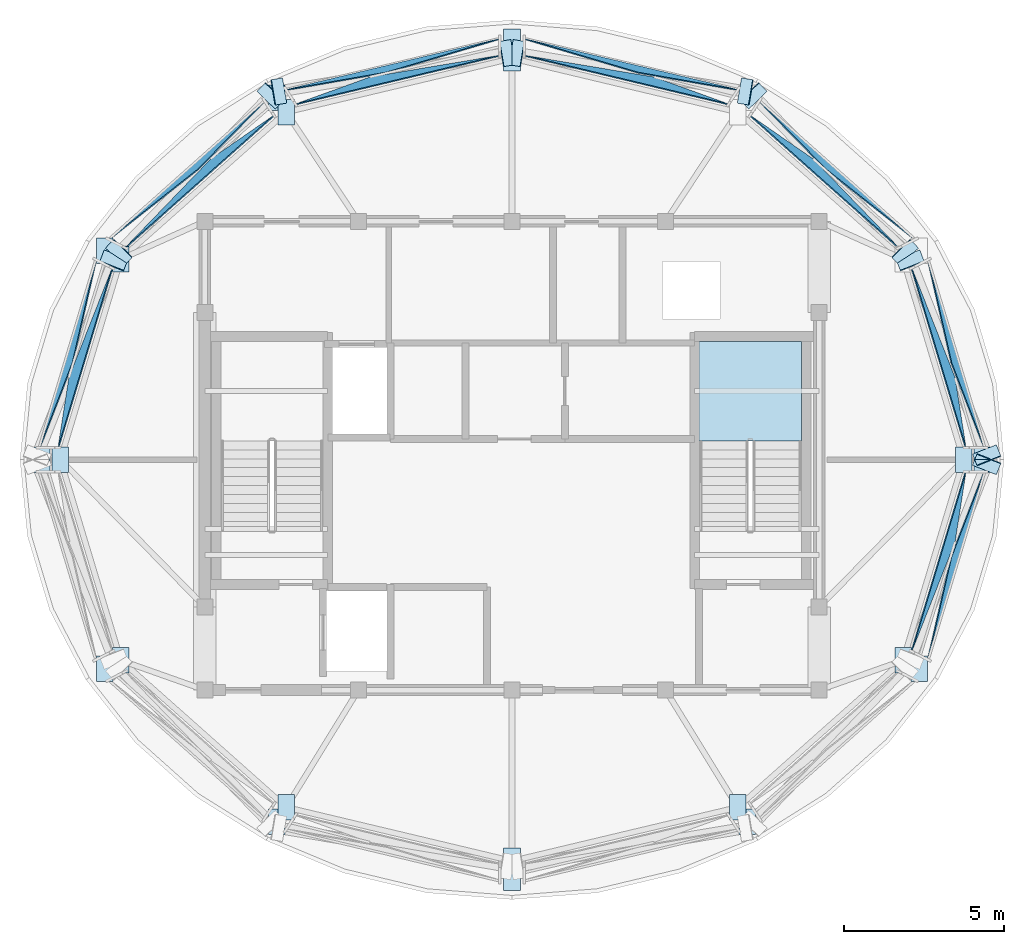
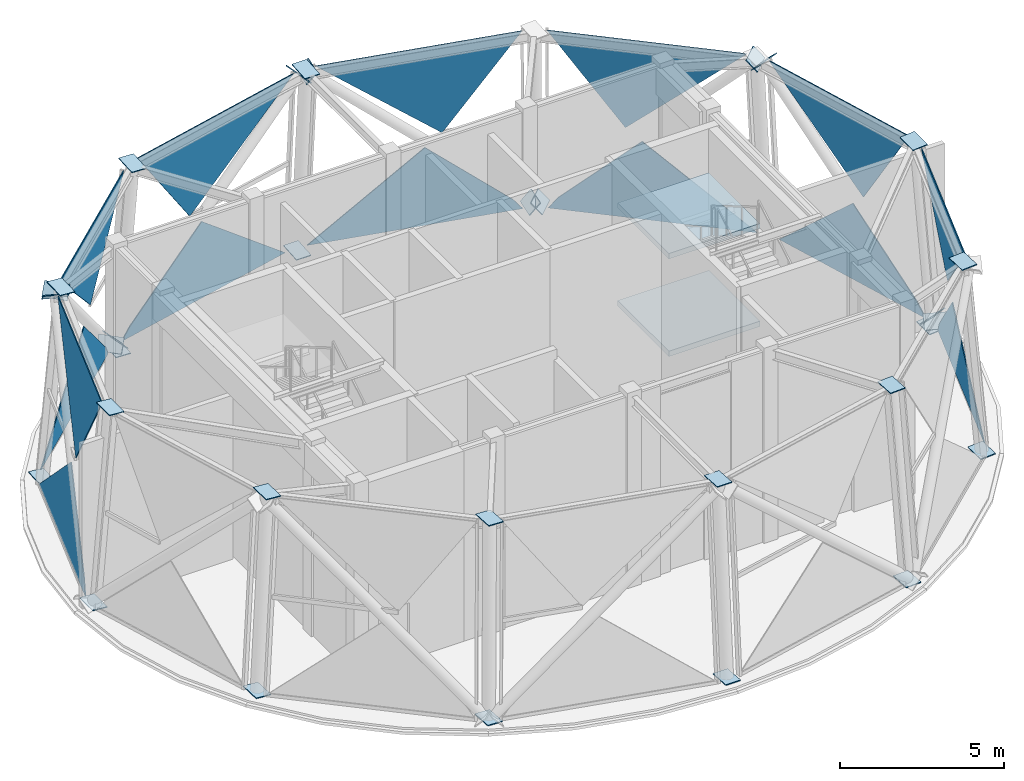
# One storey, part 4 of 8: 46 plates, 2 slabs, 8 elements without a shape of their own.
"""IFC4 building model written with IfcOpenShell, lengths in metres."""

from ifc_helpers import new_model, si_unit, direction, frame, origin, place, context, subcontext, project, spatial, polyline, outline, extrude, material, layer, layer_set, type_object, element, aggregate, save


model = new_model("IFC4")

# Units and contexts
model_context = context("Model", 3, precision=1e-05, world=origin(), true_north=direction((0.0, 1.0)))
body_context = subcontext(model_context, "Body", "Model", "MODEL_VIEW")
ifc_project = project(units=[si_unit("LENGTHUNIT", "METRE"), si_unit("AREAUNIT", "SQUARE_METRE"), si_unit("VOLUMEUNIT", "CUBIC_METRE"), si_unit("PLANEANGLEUNIT", "RADIAN"), si_unit("MASSUNIT", "GRAM", prefix="KILO")], contexts=[model_context])

# Site, building, storey
site_placement = place(None, origin())
site = spatial("IfcSite", under=ifc_project, at=site_placement, CompositionType="ELEMENT")
building_placement = place(site_placement, origin())
building = spatial("IfcBuilding", under=site, at=building_placement, Name="Vantalir Tower", CompositionType="ELEMENT")
storey_placement = place(building_placement, frame((0.0, 0.0, 333.5)))
storey = spatial("IfcBuildingStorey", under=building, at=storey_placement, Name="L80", CompositionType="ELEMENT", Elevation=333.5)

# Curtain wall, plates
ifc_material_1 = material(Name="Champagne-silver PVDF aluminium and double-silver Low-E glass", Category="aluminium")
ifc_layer_1 = layer(ifc_material_1, 0.25)
ifc_layer_set_1 = layer_set([ifc_layer_1], Name="Champagne-silver PVDF aluminium and double-silver Low-E glass")
curtain_wall_type = type_object("IfcCurtainWallType", Name="CW-CROWN-PT", PredefinedType="USERDEFINED", material=ifc_layer_set_1)
curtain_wall_1_placement = place(storey_placement, origin())
curtain_wall_1 = element("IfcCurtainWall", 1, at=curtain_wall_1_placement, inside=storey, type_object=curtain_wall_type, Name="L80 Quilted Pyramid-Diamond Curtain Wall S01", ObjectType="UNITISED CURTAIN WALL", PredefinedType="USERDEFINED")
ifc_material_2 = material(Name="Faceted crown Low-E glass IGU", Category="glass")
ifc_layer_2 = layer(ifc_material_2, 0.033935546875)
ifc_layer_set_2 = layer_set([ifc_layer_2], Name="Faceted crown Low-E glass IGU")
plate_type_1 = type_object("IfcPlateType", Name="CWP-IGU-CRN-34", PredefinedType="CURTAIN_PANEL", material=ifc_layer_set_2)
plate_1_placement = place(storey_placement, frame((46.274169921875, 25.38671875, 0.05078125), z_axis=(0.954980068274, 0.287423704644, 0.07348934078), x_axis=(-0.288194586351, 0.957571859534, -0.000119276894)))
plate_1 = element("IfcPlate", 2, at=plate_1_placement, type_object=plate_type_1, Name="CW-L80-S01 Pyramid Diamond Facet 1L", PredefinedType="CURTAIN_PANEL", context=body_context, shape_type="SweptSolid", body=[
    extrude(outline(polyline([(0.0, 0.0), (6.113651442208637, -2.3852447794681098e-18), (2.8337965297680503, 3.0336875958487624), (0.3265376560566922, 0.48328254486256106), (0.0, 0.0)])), origin(), (0.0, 0.0, -1.0), 0.033935546875),
])
plate_2_placement = place(storey_placement, frame((44.0048828125, 30.979248046875, 7.019775390625), z_axis=(0.953935034103, 0.287122760259, 0.086996961167), x_axis=(0.288225991686, -0.957562406316, -0.000125406523)))
plate_2 = element("IfcPlate", 3, at=plate_2_placement, type_object=plate_type_1, Name="CW-L80-S01 Pyramid Diamond Facet 2U", PredefinedType="CURTAIN_PANEL", context=body_context, shape_type="SweptSolid", body=[
    extrude(outline(polyline([(0.0, 0.0), (5.840381013275586, -1.7780915628762273e-17), (3.656753354508, 3.4829616717554437), (0.0, 0.0)])), origin(), (0.0, 0.0, -1.0), 0.033935546875),
])
aggregate(curtain_wall_1, [plate_1, plate_2])

curtain_wall_2_placement = place(storey_placement, origin())
curtain_wall_2 = element("IfcCurtainWall", 4, at=curtain_wall_2_placement, inside=storey, type_object=curtain_wall_type, Name="L80 Quilted Pyramid-Diamond Curtain Wall S02", ObjectType="UNITISED CURTAIN WALL", PredefinedType="USERDEFINED")
plate_3_placement = place(storey_placement, frame((44.093994140625, 31.896484375, 0.0498046875), z_axis=(0.663411283475, 0.745013635354, 0.069571201628), x_axis=(-0.746828373275, 0.665016818126, 0.000111718734)))
plate_3 = element("IfcPlate", 5, at=plate_3_placement, type_object=plate_type_1, Name="CW-L80-S02 Pyramid Diamond Facet 1L", PredefinedType="CURTAIN_PANEL", context=body_context, shape_type="SweptSolid", body=[
    extrude(outline(polyline([(0.0, 0.0), (6.489451334729093, -5.713745448998608e-17), (6.16935568144627, 0.45402415725470646), (3.525168330444145, 3.0384551155129076), (0.0, 0.0)])), origin(), (0.0, 0.0, -1.0), 0.033935546875),
])
plate_4_placement = place(storey_placement, frame((38.9541015625, 35.7587890625, 7.019287109375), z_axis=(0.662610529395, 0.744338494979, 0.083111318281), x_axis=(0.746916091961, -0.664918293945, 0.000118095724)))
plate_4 = element("IfcPlate", 6, at=plate_4_placement, type_object=plate_type_1, Name="CW-L80-S02 Pyramid Diamond Facet 2U", PredefinedType="CURTAIN_PANEL", context=body_context, shape_type="SweptSolid", body=[
    extrude(outline(polyline([(0.0, 0.0), (6.201933883345942, -1.2902005852577503e-17), (2.370936866055565, 3.4820535511788955), (0.0, 0.0)])), origin(), (0.0, 0.0, -1.0), 0.033935546875),
])
aggregate(curtain_wall_2, [plate_3, plate_4])

curtain_wall_3_placement = place(storey_placement, origin())
curtain_wall_3 = element("IfcCurtainWall", 7, at=curtain_wall_3_placement, inside=storey, type_object=curtain_wall_type, Name="L80 Quilted Pyramid-Diamond Curtain Wall S03", ObjectType="UNITISED CURTAIN WALL", PredefinedType="USERDEFINED")
plate_5_placement = place(storey_placement, frame((38.552978515625, 36.574462890625, 0.050048828125), z_axis=(0.231511205831, 0.970584981949, 0.066085962122), x_axis=(-0.972710319788, 0.232022906012, -6.9742266e-05)))
plate_5 = element("IfcPlate", 8, at=plate_5_placement, type_object=plate_type_1, Name="CW-L80-S03 Pyramid Diamond Facet 1L", PredefinedType="CURTAIN_PANEL", context=body_context, shape_type="SweptSolid", body=[
    extrude(outline(polyline([(0.0, 0.0), (6.846468083293779, -2.7647155398380363e-18), (3.164820668970539, 3.038112244992607), (0.31636802097627253, 0.4179386876146592), (0.0, 0.0)])), origin(), (0.0, 0.0, -1.0), 0.033935546875),
])
plate_6_placement = place(storey_placement, frame((31.893310546875, 37.6396484375, 7.020263671875), z_axis=(0.231312983845, 0.969616705929, 0.079609968527), x_axis=(0.97270604915, -0.232040792579, -0.000111916781)))
plate_6 = element("IfcPlate", 9, at=plate_6_placement, type_object=plate_type_1, Name="CW-L80-S03 Pyramid Diamond Facet 2U", PredefinedType="CURTAIN_PANEL", context=body_context, shape_type="SweptSolid", body=[
    extrude(outline(polyline([(0.0, 0.0), (6.544343650181016, -1.5178830414797062e-18), (4.093449364637646, 3.481294337492108), (0.0, 0.0)])), origin(), (0.0, 0.0, -1.0), 0.033935546875),
])
aggregate(curtain_wall_3, [plate_5, plate_6])

curtain_wall_4_placement = place(storey_placement, origin())
curtain_wall_4 = element("IfcCurtainWall", 10, at=curtain_wall_4_placement, inside=storey, type_object=curtain_wall_type, Name="L80 Quilted Pyramid-Diamond Curtain Wall S04", ObjectType="UNITISED CURTAIN WALL", PredefinedType="USERDEFINED")
plate_7_placement = place(storey_placement, frame((31.106689453125, 38.162841796875, 0.049560546875), z_axis=(-0.231538174268, 0.970580042547, 0.066064020969), x_axis=(-0.972703939049, -0.23204965409, 7.06737e-05)))
plate_7 = element("IfcPlate", 11, at=plate_7_placement, type_object=plate_type_1, Name="CW-L80-S04 Pyramid Diamond Facet 1L", PredefinedType="CURTAIN_PANEL", context=body_context, shape_type="SweptSolid", body=[
    extrude(outline(polyline([(0.0, 0.0), (6.845280693492995, 1.4907779871675686e-17), (6.529388778142526, 0.4179320337785363), (3.681180782800708, 3.0378660494226817), (0.0, 0.0)])), origin(), (0.0, 0.0, -1.0), 0.033935546875),
])
plate_8_placement = place(storey_placement, frame((24.740966796875, 36.12109375, 7.01953125), z_axis=(-0.231313281716, 0.969617962392, 0.079593798172), x_axis=(0.97270604915, 0.232040792579, 0.000111916781)))
plate_8 = element("IfcPlate", 12, at=plate_8_placement, type_object=plate_type_1, Name="CW-L80-S04 Pyramid Diamond Facet 2U", PredefinedType="CURTAIN_PANEL", context=body_context, shape_type="SweptSolid", body=[
    extrude(outline(polyline([(0.0, 0.0), (6.544343650181016, 1.6696713456276768e-17), (2.4511317626061504, 3.4812898544921924), (0.0, 0.0)])), origin(), (0.0, 0.0, -1.0), 0.033935546875),
])
aggregate(curtain_wall_4, [plate_7, plate_8])

curtain_wall_5_placement = place(storey_placement, origin())
curtain_wall_5 = element("IfcCurtainWall", 13, at=curtain_wall_5_placement, inside=storey, type_object=curtain_wall_type, Name="L80 Quilted Pyramid-Diamond Curtain Wall S05", ObjectType="UNITISED CURTAIN WALL", PredefinedType="USERDEFINED")
plate_9_placement = place(storey_placement, frame((23.75341796875, 36.212158203125, 0.050537109375), z_axis=(-0.663370682398, 0.745064419127, 0.069414329109), x_axis=(-0.746871121052, -0.664968808209, -0.000112461076)))
plate_9 = element("IfcPlate", 14, at=plate_9_placement, type_object=plate_type_1, Name="CW-L80-S05 Pyramid Diamond Facet 1L", PredefinedType="CURTAIN_PANEL", context=body_context, shape_type="SweptSolid", body=[
    extrude(outline(polyline([(0.0, 0.0), (6.489998339224109, 1.496198998029996e-17), (2.964651838148639, 3.038424078885715), (0.3202756206249664, 0.4540145515366104), (0.0, 0.0)])), origin(), (0.0, 0.0, -1.0), 0.033935546875),
])
plate_10_placement = place(storey_placement, frame((19.41357421875, 31.635009765625, 7.02001953125), z_axis=(-0.662613100161, 0.74434137455, 0.083065020485), x_axis=(0.746916091961, 0.664918293945, -0.000118095724)))
plate_10 = element("IfcPlate", 15, at=plate_10_placement, type_object=plate_type_1, Name="CW-L80-S05 Pyramid Diamond Facet 2U", PredefinedType="CURTAIN_PANEL", context=body_context, shape_type="SweptSolid", body=[
    extrude(outline(polyline([(0.0, 0.0), (6.201933883345942, -4.336808689942018e-19), (3.831179369851891, 3.4820400417191233), (0.0, 0.0)])), origin(), (0.0, 0.0, -1.0), 0.033935546875),
])
aggregate(curtain_wall_5, [plate_9, plate_10])

curtain_wall_6_placement = place(storey_placement, origin())
curtain_wall_6 = element("IfcCurtainWall", 16, at=curtain_wall_6_placement, inside=storey, type_object=curtain_wall_type, Name="L80 Quilted Pyramid-Diamond Curtain Wall S06", ObjectType="UNITISED CURTAIN WALL", PredefinedType="USERDEFINED")
plate_11_placement = place(storey_placement, frame((18.48779296875, 31.240966796875, 0.050048828125), z_axis=(-0.954980068274, 0.287423704644, 0.07348934078), x_axis=(-0.288194586351, -0.957571859534, 0.000119276894)))
plate_11 = element("IfcPlate", 17, at=plate_11_placement, type_object=plate_type_1, Name="CW-L80-S06 Pyramid Diamond Facet 1L", PredefinedType="CURTAIN_PANEL", context=body_context, shape_type="SweptSolid", body=[
    extrude(outline(polyline([(0.0, 0.0), (6.113651442208637, 2.3852447794681098e-18), (5.787113786151945, 0.48328254486256106), (3.2798549124405856, 3.033687595848763), (0.0, 0.0)])), origin(), (0.0, 0.0, -1.0), 0.033935546875),
])
plate_12_placement = place(storey_placement, frame((17.311767578125, 25.38671875, 7.01904296875), z_axis=(-0.953935034103, 0.287122760259, 0.086996961167), x_axis=(0.288225991686, 0.957562406316, 0.000125406523)))
plate_12 = element("IfcPlate", 18, at=plate_12_placement, type_object=plate_type_1, Name="CW-L80-S06 Pyramid Diamond Facet 2U", PredefinedType="CURTAIN_PANEL", context=body_context, shape_type="SweptSolid", body=[
    extrude(outline(polyline([(0.0, 0.0), (5.840381013275586, 1.7780915628762273e-17), (2.183627658767585, 3.4829616717554432), (0.0, 0.0)])), origin(), (0.0, 0.0, -1.0), 0.033935546875),
])
aggregate(curtain_wall_6, [plate_11, plate_12])

curtain_wall_7_placement = place(storey_placement, origin())
curtain_wall_7 = element("IfcCurtainWall", 19, at=curtain_wall_7_placement, inside=storey, type_object=curtain_wall_type, Name="L80 Quilted Pyramid-Diamond Curtain Wall S12", ObjectType="UNITISED CURTAIN WALL", PredefinedType="USERDEFINED")
plate_13_placement = place(storey_placement, frame((44.51220703125, 18.758056640625, 0.050048828125), z_axis=(0.954992265426, -0.28738539468, 0.073480663453), x_axis=(0.288155960354, 0.957583483666, 0.000119677987)))
plate_13 = element("IfcPlate", 20, at=plate_13_placement, type_object=plate_type_1, Name="CW-L80-S12 Pyramid Diamond Facet 1L", PredefinedType="CURTAIN_PANEL", context=body_context, shape_type="SweptSolid", body=[
    extrude(outline(polyline([(0.0, 0.0), (6.114586575602317, 2.1033522146218786e-17), (5.787816733252976, 0.48303502081084865), (3.280332684501684, 3.03368684563364), (0.0, 0.0)])), origin(), (0.0, 0.0, -1.0), 0.033935546875),
])
plate_14_placement = place(storey_placement, frame((45.688232421875, 24.61328125, 7.01904296875), z_axis=(0.95394802301, -0.287076539542, 0.087007067762), x_axis=(-0.288179850079, -0.957576293716, 0.000125386447)))
plate_14 = element("IfcPlate", 21, at=plate_14_placement, type_object=plate_type_1, Name="CW-L80-S12 Pyramid Diamond Facet 2U", PredefinedType="CURTAIN_PANEL", context=body_context, shape_type="SweptSolid", body=[
    extrude(outline(polyline([(0.0, 0.0), (5.841316139594503, 3.599551212651875e-17), (2.1841098931940484, 3.482964774344214), (0.0, 0.0)])), origin(), (0.0, 0.0, -1.0), 0.033935546875),
])
aggregate(curtain_wall_7, [plate_13, plate_14])

# Plates
ifc_material_3 = material(Name="Steel S460", Category="steel")
ifc_layer_3 = layer(ifc_material_3, 0.031982421875)
ifc_layer_set_3 = layer_set([ifc_layer_3], Name="Steel S460")
plate_type_2 = type_object("IfcPlateType", Name="PLT-KN-Z3", PredefinedType="USERDEFINED", material=ifc_layer_set_3)
plate_15_placement = place(storey_placement, frame((45.35302734375, 25.39990234375, 7.072509765625), z_axis=(-0.082656805175, 0.0, 0.996578071482), x_axis=(0.0, -1.0, 0.0)))
element("IfcPlate", 22, at=plate_15_placement, inside=storey, type_object=plate_type_2, Name="L80 Ring Column Top Cap RC01", ObjectType="FLANGE_PLATE", PredefinedType="USERDEFINED", context=body_context, shape_type="SweptSolid", body=[
    extrude(outline(polyline([(0.0, 0.0), (0.7998046875, 0.0), (0.7998046875, 0.5198452796374634), (0.0, 0.5198452796374634), (0.0, 0.0)])), origin(), (0.0, 0.0, -1.0), 0.031982421875),
])
plate_16_placement = place(storey_placement, frame((45.9375, 25.39990234375, 0.03125), z_axis=(-0.082618137027, 0.0, 0.996581277887), x_axis=(0.0, -1.0, 0.0)))
element("IfcPlate", 23, at=plate_16_placement, inside=storey, type_object=plate_type_2, Name="L80 Ring Column Base Cap RC01", ObjectType="FLANGE_PLATE", PredefinedType="USERDEFINED", context=body_context, shape_type="SweptSolid", body=[
    extrude(outline(polyline([(0.0, 0.0), (0.7998046875, 0.0), (0.7998046875, 0.5200885852221947), (0.0, 0.5200885852221947), (0.0, 0.0)])), origin(), (0.0, 0.0, -1.0), 0.031982421875),
])
plate_17_placement = place(storey_placement, frame((31.239990234375, 37.940185546875, 7.12353515625), z_axis=(0.0, -0.073849204258, 0.99726941948), x_axis=(0.0, -0.99726941948, -0.073849204258)))
element("IfcPlate", 24, at=plate_17_placement, inside=storey, type_object=plate_type_2, Name="L80 Ring Column Top Cap RC04", ObjectType="FLANGE_PLATE", PredefinedType="USERDEFINED", context=body_context, shape_type="SweptSolid", body=[
    extrude(outline(polyline([(0.0, 0.0), (0.8000361255595384, 0.0), (0.8000361255595384, 0.52001953125), (0.0, 0.52001953125), (0.0, 0.0)])), origin(), (0.0, 0.0, -1.0), 0.031982421875),
])
plate_18_placement = place(storey_placement, frame((31.239990234375, 38.4619140625, 0.08251953125), z_axis=(0.0, -0.074152691722, 0.997246899374), x_axis=(0.0, -0.997246899374, -0.074152691722)))
element("IfcPlate", 25, at=plate_18_placement, inside=storey, type_object=plate_type_2, Name="L80 Ring Column Base Cap RC04", ObjectType="FLANGE_PLATE", PredefinedType="USERDEFINED", context=body_context, shape_type="SweptSolid", body=[
    extrude(outline(polyline([(0.0, 0.0), (0.8000541921976495, 0.0), (0.8000541921976495, 0.52001953125), (0.0, 0.52001953125), (0.0, 0.0)])), origin(), (0.0, 0.0, -1.0), 0.031982421875),
])
plate_19_placement = place(storey_placement, frame((24.184326171875, 36.260009765625, 7.130126953125), z_axis=(0.041149634818, -0.063882041616, 0.997108716396), x_axis=(-6.261026e-06, -0.997954004813, -0.063935938558)))
element("IfcPlate", 26, at=plate_19_placement, inside=storey, type_object=plate_type_2, Name="L80 Ring Column Top Cap RC05", ObjectType="FLANGE_PLATE", PredefinedType="USERDEFINED", context=body_context, shape_type="SweptSolid", body=[
    extrude(outline(polyline([(0.0, 0.0), (0.7999688005116758, 0.0), (0.8001209658207132, 0.5199766824026077), (0.0001365559490377928, 0.519966656562073), (0.0, 0.0)])), origin(), (0.0, 0.0, -1.0), 0.031982421875),
])
plate_20_placement = place(storey_placement, frame((23.892333984375, 36.711181640625, 0.089111328125), z_axis=(0.041383562744, -0.063729583274, 0.99710879093), x_axis=(0.0, -0.997963713083, -0.063784225087)))
element("IfcPlate", 27, at=plate_20_placement, inside=storey, type_object=plate_type_2, Name="L80 Ring Column Base Cap RC05", ObjectType="FLANGE_PLATE", PredefinedType="USERDEFINED", context=body_context, shape_type="SweptSolid", body=[
    extrude(outline(polyline([(0.0, 0.0), (0.7999688097714862, 0.0), (0.8001209565591417, 0.5199766966539727), (0.00015214678765552796, 0.5199766966539727), (0.0, 0.0)])), origin(), (0.0, 0.0, -1.0), 0.031982421875),
])
plate_21_placement = place(storey_placement, frame((19.019287109375, 31.669189453125, 7.12744140625), z_axis=(0.071626877496, -0.036984146802, 0.996745586048), x_axis=(1.0488102e-05, -0.99931229516, -0.037080137974)))
element("IfcPlate", 28, at=plate_21_placement, inside=storey, type_object=plate_type_2, Name="L80 Ring Column Top Cap RC06", ObjectType="FLANGE_PLATE", PredefinedType="USERDEFINED", context=body_context, shape_type="SweptSolid", body=[
    extrude(outline(polyline([(0.0, 0.0), (0.800115122920321, -4.336808689942018e-19), (0.8000327485105045, 0.5201263837110618), (0.00017065108655406704, 0.5201432076473369), (0.0, 0.0)])), origin(), (0.0, 0.0, -1.0), 0.031982421875),
])
plate_22_placement = place(storey_placement, frame((18.513427734375, 31.93017578125, 0.086181640625), z_axis=(0.071626877496, -0.036984146802, 0.996745586048), x_axis=(-1.1296542e-05, -0.999312353157, -0.037078574665)))
element("IfcPlate", 29, at=plate_22_placement, inside=storey, type_object=plate_type_2, Name="L80 Ring Column Base Cap RC06", ObjectType="FLANGE_PLATE", PredefinedType="USERDEFINED", context=body_context, shape_type="SweptSolid", body=[
    extrude(outline(polyline([(0.0, 0.0), (0.8001060703430933, 4.336808689942018e-19), (0.8000213883736864, 0.5201438568956265), (0.00015023838667025248, 0.5201257361426869), (0.0, 0.0)])), origin(), (0.0, 0.0, -1.0), 0.031982421875),
])
plate_23_placement = place(storey_placement, frame((17.12890625, 25.39990234375, 7.115478515625), z_axis=(0.082656805175, 0.0, 0.996578071482), x_axis=(0.0, -1.0, 0.0)))
element("IfcPlate", 30, at=plate_23_placement, inside=storey, type_object=plate_type_2, Name="L80 Ring Column Top Cap RC07", ObjectType="FLANGE_PLATE", PredefinedType="USERDEFINED", context=body_context, shape_type="SweptSolid", body=[
    extrude(outline(polyline([(0.0, 0.0), (0.7998046875, 0.0), (0.7998046875, 0.5198452796374634), (0.0, 0.5198452796374634), (0.0, 0.0)])), origin(), (0.0, 0.0, -1.0), 0.031982421875),
])
plate_24_placement = place(storey_placement, frame((16.544189453125, 25.39990234375, 0.07421875), z_axis=(0.082618137027, 0.0, 0.996581277887), x_axis=(0.0, -1.0, 0.0)))
element("IfcPlate", 31, at=plate_24_placement, inside=storey, type_object=plate_type_2, Name="L80 Ring Column Base Cap RC07", ObjectType="FLANGE_PLATE", PredefinedType="USERDEFINED", context=body_context, shape_type="SweptSolid", body=[
    extrude(outline(polyline([(0.0, 0.0), (0.7998046875, 0.0), (0.7998046875, 0.5200885852221947), (0.0, 0.5200885852221947), (0.0, 0.0)])), origin(), (0.0, 0.0, -1.0), 0.031982421875),
])
plate_25_placement = place(storey_placement, frame((19.019287109375, 19.12939453125, 7.09765625), z_axis=(0.071635534092, 0.036978485081, 0.996745174002), x_axis=(-1.089357e-05, -0.999312503822, 0.037074513973)))
element("IfcPlate", 32, at=plate_25_placement, inside=storey, type_object=plate_type_2, Name="L80 Ring Column Top Cap RC08", ObjectType="FLANGE_PLATE", PredefinedType="USERDEFINED", context=body_context, shape_type="SweptSolid", body=[
    extrude(outline(polyline([(0.0, 0.0), (0.8001151222465229, 4.336808689942018e-19), (0.8001884439138, 0.5201438596967648), (8.237306228989585e-05, 0.5201263826747656), (0.0, 0.0)])), origin(), (0.0, 0.0, -1.0), 0.031982421875),
])
plate_26_placement = place(storey_placement, frame((18.513427734375, 18.868408203125, 0.056640625), z_axis=(0.071626877496, 0.036984146802, 0.996745586048), x_axis=(1.1296542e-05, -0.999312353157, 0.037078574665)))
element("IfcPlate", 33, at=plate_26_placement, inside=storey, type_object=plate_type_2, Name="L80 Ring Column Base Cap RC08", ObjectType="FLANGE_PLATE", PredefinedType="USERDEFINED", context=body_context, shape_type="SweptSolid", body=[
    extrude(outline(polyline([(0.0, 0.0), (0.8001060703430933, -4.336808689942018e-19), (0.7999558319564231, 0.5201257361426869), (8.468196940691138e-05, 0.5201438568956265), (0.0, 0.0)])), origin(), (0.0, 0.0, -1.0), 0.031982421875),
])
plate_27_placement = place(storey_placement, frame((24.184326171875, 14.538330078125, 7.0791015625), z_axis=(0.041617393945, 0.063880802909, 0.997089381922), x_axis=(-6.33195e-06, -0.997953971463, 0.063936459096)))
element("IfcPlate", 34, at=plate_27_placement, inside=storey, type_object=plate_type_2, Name="L80 Ring Column Top Cap RC09", ObjectType="FLANGE_PLATE", PredefinedType="USERDEFINED", context=body_context, shape_type="SweptSolid", body=[
    extrude(outline(polyline([(0.0, 0.0), (0.7999844099348592, 4.336808689942018e-19), (0.7998100814698313, 0.5199868200531527), (-0.00015871897794380143, 0.5199766804440025), (0.0, 0.0)])), origin(), (0.0, 0.0, -1.0), 0.031982421875),
])
plate_28_placement = place(storey_placement, frame((23.891357421875, 14.087158203125, 0.0380859375), z_axis=(0.041383562744, 0.063729583274, 0.99710879093), x_axis=(0.0, -0.997963713083, 0.063784225087)))
element("IfcPlate", 35, at=plate_28_placement, inside=storey, type_object=plate_type_2, Name="L80 Ring Column Base Cap RC09", ObjectType="FLANGE_PLATE", PredefinedType="USERDEFINED", context=body_context, shape_type="SweptSolid", body=[
    extrude(outline(polyline([(0.0, 0.0), (0.7999688097714862, 0.0), (0.7998166629838307, 0.5199766966539727), (-0.00015214678765552796, 0.5199766966539727), (0.0, 0.0)])), origin(), (0.0, 0.0, -1.0), 0.031982421875),
])
plate_29_placement = place(storey_placement, frame((31.239990234375, 12.857666015625, 7.064453125), z_axis=(0.0, 0.073849204258, 0.99726941948), x_axis=(0.0, -0.99726941948, 0.073849204258)))
element("IfcPlate", 36, at=plate_29_placement, inside=storey, type_object=plate_type_2, Name="L80 Ring Column Top Cap RC10", ObjectType="FLANGE_PLATE", PredefinedType="USERDEFINED", context=body_context, shape_type="SweptSolid", body=[
    extrude(outline(polyline([(0.0, 0.0), (0.8000361255595384, 0.0), (0.8000361255595384, 0.52001953125), (0.0, 0.52001953125), (0.0, 0.0)])), origin(), (0.0, 0.0, -1.0), 0.031982421875),
])
plate_30_placement = place(storey_placement, frame((31.239990234375, 12.3359375, 0.023193359375), z_axis=(0.0, 0.074152691722, 0.997246899374), x_axis=(0.0, -0.997246899374, 0.074152691722)))
element("IfcPlate", 37, at=plate_30_placement, inside=storey, type_object=plate_type_2, Name="L80 Ring Column Base Cap RC10", ObjectType="FLANGE_PLATE", PredefinedType="USERDEFINED", context=body_context, shape_type="SweptSolid", body=[
    extrude(outline(polyline([(0.0, 0.0), (0.8000541921976495, 0.0), (0.8000541921976495, 0.52001953125), (0.0, 0.52001953125), (0.0, 0.0)])), origin(), (0.0, 0.0, -1.0), 0.031982421875),
])
plate_31_placement = place(storey_placement, frame((38.296142578125, 14.537109375, 7.0576171875), z_axis=(-0.041617393945, 0.063880802909, 0.997089381922), x_axis=(-6.332074e-06, -0.997954005189, 0.063935932675)))
element("IfcPlate", 38, at=plate_31_placement, inside=storey, type_object=plate_type_2, Name="L80 Ring Column Top Cap RC11", ObjectType="FLANGE_PLATE", PredefinedType="USERDEFINED", context=body_context, shape_type="SweptSolid", body=[
    extrude(outline(polyline([(0.0, 0.0), (0.799968800512035, 0.0), (0.8001365381411122, 0.5199868222209975), (0.00015212827051404873, 0.5199766824139979), (0.0, 0.0)])), origin(), (0.0, 0.0, -1.0), 0.031982421875),
])
plate_32_placement = place(storey_placement, frame((38.589111328125, 14.0859375, 0.0166015625), z_axis=(-0.041383562744, 0.063729583274, 0.99710879093), x_axis=(0.0, -0.997963713083, 0.063784225087)))
element("IfcPlate", 39, at=plate_32_placement, inside=storey, type_object=plate_type_2, Name="L80 Ring Column Base Cap RC11", ObjectType="FLANGE_PLATE", PredefinedType="USERDEFINED", context=body_context, shape_type="SweptSolid", body=[
    extrude(outline(polyline([(0.0, 0.0), (0.7999688097714862, 0.0), (0.8001209565591417, 0.5199766966539727), (0.00015214678765552796, 0.5199766966539727), (0.0, 0.0)])), origin(), (0.0, 0.0, -1.0), 0.031982421875),
])
plate_33_placement = place(storey_placement, frame((43.4619140625, 19.1279296875, 7.060546875), z_axis=(-0.071635534092, 0.036978485081, 0.996745174002), x_axis=(-1.0893693e-05, -0.999312561834, 0.037072950286)))
element("IfcPlate", 40, at=plate_33_placement, inside=storey, type_object=plate_type_2, Name="L80 Ring Column Top Cap RC12", ObjectType="FLANGE_PLATE", PredefinedType="USERDEFINED", context=body_context, shape_type="SweptSolid", body=[
    extrude(outline(polyline([(0.0, 0.0), (0.8001060710423886, -4.336808689942018e-19), (0.8000213876744651, 0.5201438579710828), (-9.37343811770045e-05, 0.5201263807513746), (0.0, 0.0)])), origin(), (0.0, 0.0, -1.0), 0.031982421875),
])
plate_34_placement = place(storey_placement, frame((43.9677734375, 18.866943359375, 0.019287109375), z_axis=(-0.071626877496, 0.036984146802, 0.996745586048), x_axis=(1.129986e-05, -0.99931229299, 0.037080196227)))
element("IfcPlate", 41, at=plate_34_placement, inside=storey, type_object=plate_type_2, Name="L80 Ring Column Base Cap RC12", ObjectType="FLANGE_PLATE", PredefinedType="USERDEFINED", context=body_context, shape_type="SweptSolid", body=[
    extrude(outline(polyline([(0.0, 0.0), (0.7998711501922752, -4.336808689942018e-19), (0.8000331718141941, 0.5201257326056257), (-7.28983235798121e-05, 0.5201438586805849), (0.0, 0.0)])), origin(), (0.0, 0.0, -1.0), 0.031982421875),
])
for number, where, z_axis, x_axis, name in (
    (42, (46.636962890625, 25.467529296875, 0.05908203125), (-0.257490898054, 0.655001867443, 0.710401992583), (-0.930669875444, -0.365860059232, 0.0), "Node Cap Plate MEM-DG-L80-R01L Start"),
    (43, (44.2431640625, 31.555908203125, 6.667724609375), (-0.257490898054, 0.655001867443, 0.710401992583), (-0.930669875444, -0.365860059232, 0.0), "Node Cap Plate MEM-DG-L80-R01L End"),
):
    element("IfcPlate", number, at=place(storey_placement, frame(where, z_axis=z_axis, x_axis=x_axis)), inside=storey, type_object=plate_type_2, Name=name, ObjectType="FLANGE_PLATE", PredefinedType="USERDEFINED", context=body_context, shape_type="SweptSolid", body=[
        extrude(outline(polyline([(0.0, 0.0), (0.8000999343562138, -2.7755575615628914e-17), (0.7999875936341843, 0.5199897743709904), (-0.00011234072202945256, 0.5199897743709904), (0.0, 0.0)])), origin(), (0.0, 0.0, -1.0), 0.031982421875),
    ])
plate_35_placement = place(storey_placement, frame((45.892333984375, 24.8251953125, 0.05908203125), z_axis=(-0.257490898054, -0.655001867443, 0.710401992583), x_axis=(0.930669875444, -0.365860059232, 0.0)))
element("IfcPlate", 44, at=plate_35_placement, inside=storey, type_object=plate_type_2, Name="Node Cap Plate MEM-DG-L80-R01R Start", ObjectType="FLANGE_PLATE", PredefinedType="USERDEFINED", context=body_context, shape_type="SweptSolid", body=[
    extrude(outline(polyline([(0.0, 0.0), (0.8000999343562138, 2.7755575615628914e-17), (0.8002122750782432, 0.5199897743709904), (0.00011234072202945256, 0.5199897743709904), (0.0, 0.0)])), origin(), (0.0, 0.0, -1.0), 0.031982421875),
])
plate_36_placement = place(storey_placement, frame((38.67333984375, 36.932373046875, 0.042236328125), z_axis=(-0.727461999522, 0.122237928436, 0.675171776737), x_axis=(-0.165721640493, -0.986172569946, -1.2595204e-05)))
element("IfcPlate", 45, at=plate_36_placement, inside=storey, type_object=plate_type_2, Name="Node Cap Plate MEM-DG-L80-R07L Start", ObjectType="FLANGE_PLATE", PredefinedType="USERDEFINED", context=body_context, shape_type="SweptSolid", body=[
    extrude(outline(polyline([(0.0, 0.0), (0.7998804746784303, 1.3877787807814457e-17), (0.8000470203161163, 0.5199613887699386), (-7.421914989857249e-05, 0.519934069498213), (0.0, 0.0)])), origin(), (0.0, 0.0, -1.0), 0.031982421875),
])
plate_37_placement = place(storey_placement, frame((31.535888671875, 38.132568359375, 6.665771484375), z_axis=(-0.727636146818, 0.122492360783, 0.674937967071), x_axis=(-0.166018424657, -0.986122650848, -1.2616411e-05)))
element("IfcPlate", 46, at=plate_37_placement, inside=storey, type_object=plate_type_2, Name="Node Cap Plate MEM-DG-L80-R07L End", ObjectType="FLANGE_PLATE", PredefinedType="USERDEFINED", context=body_context, shape_type="SweptSolid", body=[
    extrude(outline(polyline([(0.0, 0.0), (0.7999209736091022, 1.3877787807814457e-17), (0.7999818511457224, 0.5201415261643116), (-0.00017987506368444587, 0.5201141674440501), (0.0, 0.0)])), origin(), (0.0, 0.0, -1.0), 0.031982421875),
])
plate_38_placement = place(storey_placement, frame((38.89794921875, 35.955078125, 0.052490234375), z_axis=(0.498185333669, -0.515579156254, 0.697129476463), x_axis=(0.719097421637, 0.694909271334, 5.2998547e-05)))
element("IfcPlate", 47, at=plate_38_placement, inside=storey, type_object=plate_type_2, Name="Node Cap Plate MEM-DG-L80-R07R Start", ObjectType="FLANGE_PLATE", PredefinedType="USERDEFINED", context=body_context, shape_type="SweptSolid", body=[
    extrude(outline(polyline([(0.0, 0.0), (0.7999272305187144, 0.0), (0.8001358703765695, 0.5199285842170702), (3.307896390074923e-05, 0.5200468627965282), (0.0, 0.0)])), origin(), (0.0, 0.0, -1.0), 0.031982421875),
])
plate_39_placement = place(storey_placement, frame((43.628662109375, 31.058837890625, 6.6669921875), z_axis=(0.498302609588, -0.515700526788, 0.696955863702), x_axis=(0.719097439472, 0.694909252879, 5.2997821e-05)))
element("IfcPlate", 48, at=plate_39_placement, inside=storey, type_object=plate_type_2, Name="Node Cap Plate MEM-DG-L80-R07R End", ObjectType="FLANGE_PLATE", PredefinedType="USERDEFINED", context=body_context, shape_type="SweptSolid", body=[
    extrude(outline(polyline([(0.0, 0.0), (0.7999272305176257, 5.551115123125783e-17), (0.7999662052244093, 0.5198062319549397), (-0.00013658619152490326, 0.5199244810783623), (0.0, 0.0)])), origin(), (0.0, 0.0, -1.0), 0.031982421875),
])
plate_40_placement = place(storey_placement, frame((23.52783203125, 36.510986328125, 0.052490234375), z_axis=(-0.498185333669, -0.515579156254, 0.697129476463), x_axis=(0.719097421637, -0.694909271334, -5.2998547e-05)))
element("IfcPlate", 49, at=plate_40_placement, inside=storey, type_object=plate_type_2, Name="Node Cap Plate MEM-DG-L80-R13L Start", ObjectType="FLANGE_PLATE", PredefinedType="USERDEFINED", context=body_context, shape_type="SweptSolid", body=[
    extrude(outline(polyline([(0.0, 0.0), (0.7999272305187144, 0.0), (0.7998941515548136, 0.5200468627965282), (-0.00020863985785506774, 0.5199285842170702), (0.0, 0.0)])), origin(), (0.0, 0.0, -1.0), 0.031982421875),
])
plate_41_placement = place(storey_placement, frame((18.796142578125, 31.61474609375, 6.6669921875), z_axis=(-0.498461042466, -0.515864491247, 0.69672118944), x_axis=(0.719097463572, -0.69490922794, -5.2996821e-05)))
element("IfcPlate", 50, at=plate_41_placement, inside=storey, type_object=plate_type_2, Name="Node Cap Plate MEM-DG-L80-R13L End", ObjectType="FLANGE_PLATE", PredefinedType="USERDEFINED", context=body_context, shape_type="SweptSolid", body=[
    extrude(outline(polyline([(0.0, 0.0), (0.7999272305161549, 0.0), (0.8000638167106219, 0.5200995656718423), (-3.8974709725448045e-05, 0.5199813563644642), (0.0, 0.0)])), origin(), (0.0, 0.0, -1.0), 0.031982421875),
])
plate_42_placement = place(storey_placement, frame((24.460205078125, 36.1435546875, 0.042236328125), z_axis=(0.727461999522, 0.122237928436, 0.675171776737), x_axis=(-0.165721640493, 0.986172569946, 1.2595204e-05)))
element("IfcPlate", 51, at=plate_42_placement, inside=storey, type_object=plate_type_2, Name="Node Cap Plate MEM-DG-L80-R13R Start", ObjectType="FLANGE_PLATE", PredefinedType="USERDEFINED", context=body_context, shape_type="SweptSolid", body=[
    extrude(outline(polyline([(0.0, 0.0), (0.7998804746784303, -1.3877787807814457e-17), (0.7999546938283288, 0.519934069498213), (-0.00016654563768587403, 0.5199613887699386), (0.0, 0.0)])), origin(), (0.0, 0.0, -1.0), 0.031982421875),
])
plate_43_placement = place(storey_placement, frame((31.596923828125, 37.34375, 6.665771484375), z_axis=(0.727636146818, 0.122492360783, 0.674937967071), x_axis=(-0.166018424657, 0.986122650848, 1.2616411e-05)))
element("IfcPlate", 52, at=plate_43_placement, inside=storey, type_object=plate_type_2, Name="Node Cap Plate MEM-DG-L80-R13R End", ObjectType="FLANGE_PLATE", PredefinedType="USERDEFINED", context=body_context, shape_type="SweptSolid", body=[
    extrude(outline(polyline([(0.0, 0.0), (0.7999209736091022, -1.3877787807814457e-17), (0.8001008486727866, 0.5201141674440501), (-6.087753662019726e-05, 0.5201415261643116), (0.0, 0.0)])), origin(), (0.0, 0.0, -1.0), 0.031982421875),
])
plate_44_placement = place(storey_placement, frame((19.50146484375, 31.26318359375, 6.667724609375), z_axis=(0.257490898054, 0.655001867443, 0.710401992583), x_axis=(-0.930669875444, 0.365860059232, 0.0)))
element("IfcPlate", 53, at=plate_44_placement, inside=storey, type_object=plate_type_2, Name="Node Cap Plate MEM-DG-L80-R19R End", ObjectType="FLANGE_PLATE", PredefinedType="USERDEFINED", context=body_context, shape_type="SweptSolid", body=[
    extrude(outline(polyline([(0.0, 0.0), (0.8000999343562138, 2.7755575615628914e-17), (0.8002122750782432, 0.5199897743709904), (0.00011234072202945256, 0.5199897743709904), (0.0, 0.0)])), origin(), (0.0, 0.0, -1.0), 0.031982421875),
])

# Stair, slabs
ifc_material_4 = material(Name="Concrete C40/50", Category="concrete")
stair_type = type_object("IfcStairType", Name="STR-CORE-1450", PredefinedType="HALF_TURN_STAIR", material=ifc_material_4)
stair_placement = place(storey_placement, origin())
stair = element("IfcStair", 54, at=stair_placement, inside=storey, type_object=stair_type, Name="L80 Core Exit Stair 2", PredefinedType="HALF_TURN_STAIR")
ifc_layer_4 = layer(ifc_material_4, 0.199951171875)
ifc_layer_set_4 = layer_set([ifc_layer_4], Name="Concrete C40/50")
slab_type = type_object("IfcSlabType", Name="SL-LAND-200", PredefinedType="LANDING", material=ifc_layer_set_4)
slab_1_placement = place(storey_placement, frame((0.0, 0.0, 1.612548828125)))
slab_1 = element("IfcSlab", 55, at=slab_1_placement, type_object=slab_type, Name="ST2 landing 1", PredefinedType="LANDING", context=body_context, shape_type="SweptSolid", body=[
    extrude(outline(polyline([(40.550048828125, 25.590087890625), (40.550048828125, 28.699951171875), (37.35009765625, 28.699951171875), (37.35009765625, 25.590087890625), (40.550048828125, 25.590087890625)])), origin(), (0.0, 0.0, 1.0), 0.199951171875),
])
slab_2_placement = place(storey_placement, frame((0.0, 0.0, 5.237548828125)))
slab_2 = element("IfcSlab", 56, at=slab_2_placement, type_object=slab_type, Name="ST2 landing 3", PredefinedType="LANDING", context=body_context, shape_type="SweptSolid", body=[
    extrude(outline(polyline([(40.550048828125, 25.590087890625), (40.550048828125, 28.699951171875), (37.35009765625, 28.699951171875), (37.35009765625, 25.590087890625), (40.550048828125, 25.590087890625)])), origin(), (0.0, 0.0, 1.0), 0.199951171875),
])
aggregate(stair, [slab_1, slab_2])

save(model, "model.ifc")
